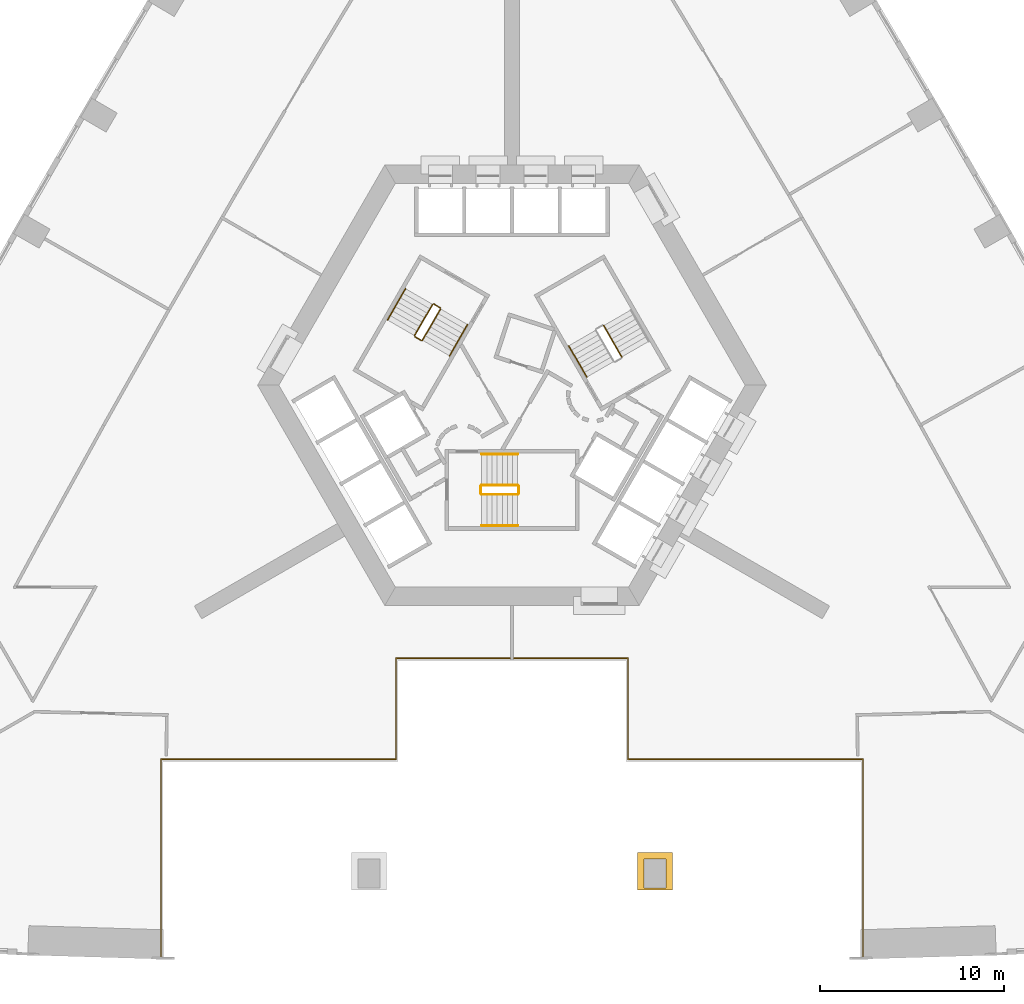
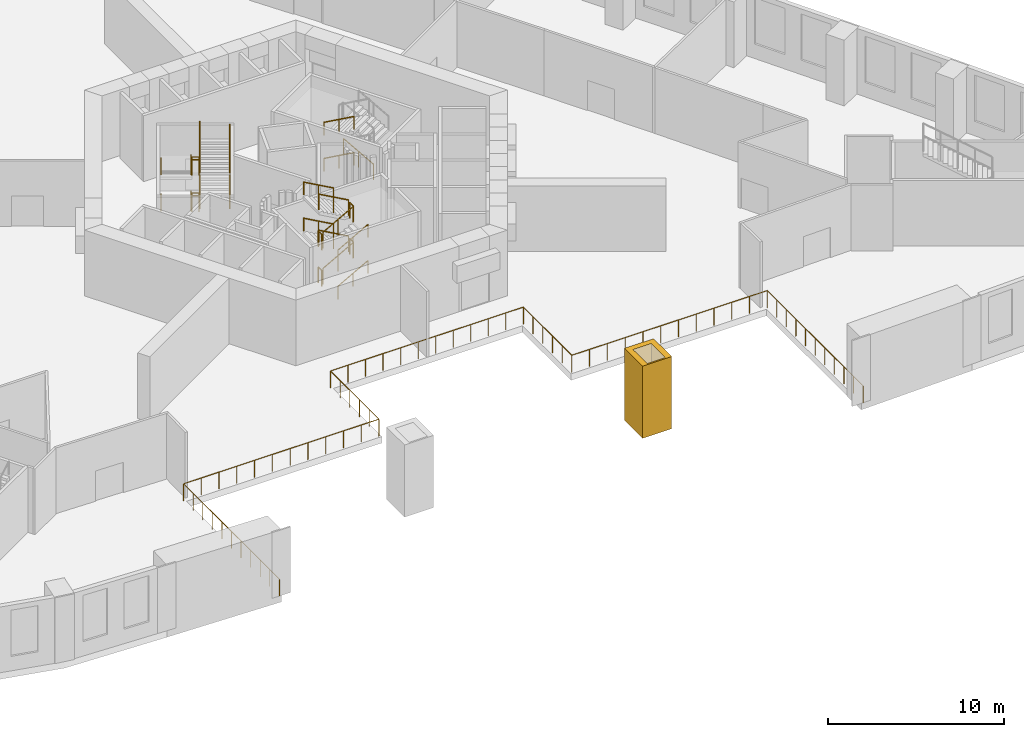
# One storey, part 13 of 16: 28 railings, 1 covering.
"""IFC4 building model written with IfcOpenShell, lengths in metres."""

from ifc_helpers import new_model, si_unit, direction, frame, origin, origin_2d, place, context, subcontext, project, spatial, polyline, circle, outline, extrude, material, type_object, element, save


model = new_model("IFC4")

# Units and contexts
model_context = context("Model", 3, precision=1e-05, world=origin(), true_north=direction((0.0, 1.0)))
body_context = subcontext(model_context, "Body", "Model", "MODEL_VIEW")
ifc_project = project(units=[si_unit("LENGTHUNIT", "METRE"), si_unit("AREAUNIT", "SQUARE_METRE"), si_unit("VOLUMEUNIT", "CUBIC_METRE"), si_unit("PLANEANGLEUNIT", "RADIAN"), si_unit("MASSUNIT", "GRAM", prefix="KILO")], contexts=[model_context])

# Site, building, storey
site_placement = place(None, origin())
site = spatial("IfcSite", under=ifc_project, at=site_placement, CompositionType="ELEMENT")
building_placement = place(site_placement, origin())
building = spatial("IfcBuilding", under=site, at=building_placement, Name="Entoto Arch Interchange Tower", CompositionType="ELEMENT")
storey_placement = place(building_placement, frame((0.0, 0.0, 15.0)))
storey = spatial("IfcBuildingStorey", under=building, at=storey_placement, Name="L02", CompositionType="ELEMENT", Elevation=15.0)

# Railing
ifc_material_1 = material(Name="Stainless steel 1.4301", Category="steel")
railing_type_1 = type_object("IfcRailingType", Name="ATRIUM GUARD 1200 STEEL AND GLASS", PredefinedType="GUARDRAIL", material=ifc_material_1)
railing_1_placement = place(storey_placement, frame((-19.1201171875, -28.758056640625, 0.0)))
element("IfcRailing", 1, at=railing_1_placement, inside=storey, type_object=railing_type_1, Name="Atrium guard L02", PredefinedType="GUARDRAIL", context=body_context, shape_type="SweptSolid", body=[
    extrude(circle(Radius=0.02392578125, at=origin_2d()), frame((0.0, 0.0, 1.17578125), z_axis=(0.0, 1.0, 0.0), x_axis=(-1.0, 0.0, 0.0)), (0.0, 0.0, 1.0), 10.878173828125),
    extrude(circle(Radius=0.02392578125, at=origin_2d()), frame((0.0, 10.878173828125, 1.17578125), z_axis=(1.0, 0.0, 0.0), x_axis=(0.0, 1.0, 0.0)), (0.0, 0.0, 1.0), 12.800048828125),
    extrude(circle(Radius=0.02392578125, at=origin_2d()), frame((12.800048828125, 10.878173828125, 1.17578125), z_axis=(0.0, 1.0, 0.0), x_axis=(-1.0, 0.0, 0.0)), (0.0, 0.0, 1.0), 5.5),
    extrude(circle(Radius=0.02392578125, at=origin_2d()), frame((12.800048828125, 16.378173828125, 1.17578125), z_axis=(1.0, 0.0, 0.0), x_axis=(0.0, 1.0, 0.0)), (0.0, 0.0, 1.0), 12.64013671875),
    extrude(circle(Radius=0.02392578125, at=origin_2d()), frame((25.440185546875, 16.378173828125, 1.17578125), z_axis=(0.0, -1.0, 0.0), x_axis=(1.0, 0.0, 0.0)), (0.0, 0.0, 1.0), 5.5),
    extrude(circle(Radius=0.02392578125, at=origin_2d()), frame((25.440185546875, 10.878173828125, 1.17578125), z_axis=(1.0, 0.0, 0.0), x_axis=(0.0, 1.0, 0.0)), (0.0, 0.0, 1.0), 12.800048828125),
    extrude(circle(Radius=0.02392578125, at=origin_2d()), frame((38.240234375, 10.878173828125, 1.17578125), z_axis=(0.0, -1.0, 0.0), x_axis=(1.0, 0.0, 0.0)), (0.0, 0.0, 1.0), 10.878173828125),
    extrude(circle(Radius=0.02099609375, at=origin_2d()), origin(), (0.0, 0.0, 1.0), 1.15185546875),
    extrude(circle(Radius=0.02099609375, at=origin_2d()), frame((0.0, 1.087890625, 0.0)), (0.0, 0.0, 1.0), 1.15185546875),
    extrude(circle(Radius=0.02099609375, at=origin_2d()), frame((0.0, 2.175537109375, 0.0)), (0.0, 0.0, 1.0), 1.15185546875),
    extrude(circle(Radius=0.02099609375, at=origin_2d()), frame((0.0, 3.263427734375, 0.0)), (0.0, 0.0, 1.0), 1.15185546875),
    extrude(circle(Radius=0.02099609375, at=origin_2d()), frame((0.0, 4.351318359375, 0.0)), (0.0, 0.0, 1.0), 1.15185546875),
    extrude(circle(Radius=0.02099609375, at=origin_2d()), frame((0.0, 5.43896484375, 0.0)), (0.0, 0.0, 1.0), 1.15185546875),
    extrude(circle(Radius=0.02099609375, at=origin_2d()), frame((0.0, 6.52685546875, 0.0)), (0.0, 0.0, 1.0), 1.15185546875),
    extrude(circle(Radius=0.02099609375, at=origin_2d()), frame((0.0, 7.61474609375, 0.0)), (0.0, 0.0, 1.0), 1.15185546875),
    extrude(circle(Radius=0.02099609375, at=origin_2d()), frame((0.0, 8.70263671875, 0.0)), (0.0, 0.0, 1.0), 1.15185546875),
    extrude(circle(Radius=0.02099609375, at=origin_2d()), frame((0.0, 9.790283203125, 0.0)), (0.0, 0.0, 1.0), 1.15185546875),
    extrude(circle(Radius=0.02099609375, at=origin_2d()), frame((0.0, 10.878173828125, 0.0)), (0.0, 0.0, 1.0), 1.15185546875),
    extrude(circle(Radius=0.02099609375, at=origin_2d()), frame((1.16357421875, 10.878173828125, 0.0)), (0.0, 0.0, 1.0), 1.15185546875),
    extrude(circle(Radius=0.02099609375, at=origin_2d()), frame((2.327392578125, 10.878173828125, 0.0)), (0.0, 0.0, 1.0), 1.15185546875),
    extrude(circle(Radius=0.02099609375, at=origin_2d()), frame((3.490966796875, 10.878173828125, 0.0)), (0.0, 0.0, 1.0), 1.15185546875),
    extrude(circle(Radius=0.02099609375, at=origin_2d()), frame((4.654541015625, 10.878173828125, 0.0)), (0.0, 0.0, 1.0), 1.15185546875),
    extrude(circle(Radius=0.02099609375, at=origin_2d()), frame((5.818115234375, 10.878173828125, 0.0)), (0.0, 0.0, 1.0), 1.15185546875),
    extrude(circle(Radius=0.02099609375, at=origin_2d()), frame((6.98193359375, 10.878173828125, 0.0)), (0.0, 0.0, 1.0), 1.15185546875),
    extrude(circle(Radius=0.02099609375, at=origin_2d()), frame((8.1455078125, 10.878173828125, 0.0)), (0.0, 0.0, 1.0), 1.15185546875),
    extrude(circle(Radius=0.02099609375, at=origin_2d()), frame((9.30908203125, 10.878173828125, 0.0)), (0.0, 0.0, 1.0), 1.15185546875),
    extrude(circle(Radius=0.02099609375, at=origin_2d()), frame((10.47265625, 10.878173828125, 0.0)), (0.0, 0.0, 1.0), 1.15185546875),
    extrude(circle(Radius=0.02099609375, at=origin_2d()), frame((11.636474609375, 10.878173828125, 0.0)), (0.0, 0.0, 1.0), 1.15185546875),
    extrude(circle(Radius=0.02099609375, at=origin_2d()), frame((12.800048828125, 10.878173828125, 0.0)), (0.0, 0.0, 1.0), 1.15185546875),
    extrude(circle(Radius=0.02099609375, at=origin_2d()), frame((12.800048828125, 11.978271484375, 0.0)), (0.0, 0.0, 1.0), 1.15185546875),
    extrude(circle(Radius=0.02099609375, at=origin_2d()), frame((12.800048828125, 13.078125, 0.0)), (0.0, 0.0, 1.0), 1.15185546875),
    extrude(circle(Radius=0.02099609375, at=origin_2d()), frame((12.800048828125, 14.17822265625, 0.0)), (0.0, 0.0, 1.0), 1.15185546875),
    extrude(circle(Radius=0.02099609375, at=origin_2d()), frame((12.800048828125, 15.278076171875, 0.0)), (0.0, 0.0, 1.0), 1.15185546875),
    extrude(circle(Radius=0.02099609375, at=origin_2d()), frame((12.800048828125, 16.378173828125, 0.0)), (0.0, 0.0, 1.0), 1.15185546875),
    extrude(circle(Radius=0.02099609375, at=origin_2d()), frame((13.94921875, 16.378173828125, 0.0)), (0.0, 0.0, 1.0), 1.15185546875),
    extrude(circle(Radius=0.02099609375, at=origin_2d()), frame((15.09814453125, 16.378173828125, 0.0)), (0.0, 0.0, 1.0), 1.15185546875),
    extrude(circle(Radius=0.02099609375, at=origin_2d()), frame((16.247314453125, 16.378173828125, 0.0)), (0.0, 0.0, 1.0), 1.15185546875),
    extrude(circle(Radius=0.02099609375, at=origin_2d()), frame((17.396484375, 16.378173828125, 0.0)), (0.0, 0.0, 1.0), 1.15185546875),
    extrude(circle(Radius=0.02099609375, at=origin_2d()), frame((18.545654296875, 16.378173828125, 0.0)), (0.0, 0.0, 1.0), 1.15185546875),
    extrude(circle(Radius=0.02099609375, at=origin_2d()), frame((19.694580078125, 16.378173828125, 0.0)), (0.0, 0.0, 1.0), 1.15185546875),
    extrude(circle(Radius=0.02099609375, at=origin_2d()), frame((20.84375, 16.378173828125, 0.0)), (0.0, 0.0, 1.0), 1.15185546875),
    extrude(circle(Radius=0.02099609375, at=origin_2d()), frame((21.992919921875, 16.378173828125, 0.0)), (0.0, 0.0, 1.0), 1.15185546875),
    extrude(circle(Radius=0.02099609375, at=origin_2d()), frame((23.14208984375, 16.378173828125, 0.0)), (0.0, 0.0, 1.0), 1.15185546875),
    extrude(circle(Radius=0.02099609375, at=origin_2d()), frame((24.291015625, 16.378173828125, 0.0)), (0.0, 0.0, 1.0), 1.15185546875),
    extrude(circle(Radius=0.02099609375, at=origin_2d()), frame((25.440185546875, 16.378173828125, 0.0)), (0.0, 0.0, 1.0), 1.15185546875),
    extrude(circle(Radius=0.02099609375, at=origin_2d()), frame((25.440185546875, 15.278076171875, 0.0)), (0.0, 0.0, 1.0), 1.15185546875),
    extrude(circle(Radius=0.02099609375, at=origin_2d()), frame((25.440185546875, 14.17822265625, 0.0)), (0.0, 0.0, 1.0), 1.15185546875),
    extrude(circle(Radius=0.02099609375, at=origin_2d()), frame((25.440185546875, 13.078125, 0.0)), (0.0, 0.0, 1.0), 1.15185546875),
    extrude(circle(Radius=0.02099609375, at=origin_2d()), frame((25.440185546875, 11.978271484375, 0.0)), (0.0, 0.0, 1.0), 1.15185546875),
    extrude(circle(Radius=0.02099609375, at=origin_2d()), frame((25.440185546875, 10.878173828125, 0.0)), (0.0, 0.0, 1.0), 1.15185546875),
    extrude(circle(Radius=0.02099609375, at=origin_2d()), frame((26.603759765625, 10.878173828125, 0.0)), (0.0, 0.0, 1.0), 1.15185546875),
    extrude(circle(Radius=0.02099609375, at=origin_2d()), frame((27.767578125, 10.878173828125, 0.0)), (0.0, 0.0, 1.0), 1.15185546875),
    extrude(circle(Radius=0.02099609375, at=origin_2d()), frame((28.93115234375, 10.878173828125, 0.0)), (0.0, 0.0, 1.0), 1.15185546875),
    extrude(circle(Radius=0.02099609375, at=origin_2d()), frame((30.0947265625, 10.878173828125, 0.0)), (0.0, 0.0, 1.0), 1.15185546875),
    extrude(circle(Radius=0.02099609375, at=origin_2d()), frame((31.25830078125, 10.878173828125, 0.0)), (0.0, 0.0, 1.0), 1.15185546875),
    extrude(circle(Radius=0.02099609375, at=origin_2d()), frame((32.422119140625, 10.878173828125, 0.0)), (0.0, 0.0, 1.0), 1.15185546875),
    extrude(circle(Radius=0.02099609375, at=origin_2d()), frame((33.585693359375, 10.878173828125, 0.0)), (0.0, 0.0, 1.0), 1.15185546875),
    extrude(circle(Radius=0.02099609375, at=origin_2d()), frame((34.749267578125, 10.878173828125, 0.0)), (0.0, 0.0, 1.0), 1.15185546875),
    extrude(circle(Radius=0.02099609375, at=origin_2d()), frame((35.912841796875, 10.878173828125, 0.0)), (0.0, 0.0, 1.0), 1.15185546875),
    extrude(circle(Radius=0.02099609375, at=origin_2d()), frame((37.07666015625, 10.878173828125, 0.0)), (0.0, 0.0, 1.0), 1.15185546875),
    extrude(circle(Radius=0.02099609375, at=origin_2d()), frame((38.240234375, 10.878173828125, 0.0)), (0.0, 0.0, 1.0), 1.15185546875),
    extrude(circle(Radius=0.02099609375, at=origin_2d()), frame((38.240234375, 9.790283203125, 0.0)), (0.0, 0.0, 1.0), 1.15185546875),
    extrude(circle(Radius=0.02099609375, at=origin_2d()), frame((38.240234375, 8.70263671875, 0.0)), (0.0, 0.0, 1.0), 1.15185546875),
    extrude(circle(Radius=0.02099609375, at=origin_2d()), frame((38.240234375, 7.61474609375, 0.0)), (0.0, 0.0, 1.0), 1.15185546875),
    extrude(circle(Radius=0.02099609375, at=origin_2d()), frame((38.240234375, 6.52685546875, 0.0)), (0.0, 0.0, 1.0), 1.15185546875),
    extrude(circle(Radius=0.02099609375, at=origin_2d()), frame((38.240234375, 5.43896484375, 0.0)), (0.0, 0.0, 1.0), 1.15185546875),
    extrude(circle(Radius=0.02099609375, at=origin_2d()), frame((38.240234375, 4.351318359375, 0.0)), (0.0, 0.0, 1.0), 1.15185546875),
    extrude(circle(Radius=0.02099609375, at=origin_2d()), frame((38.240234375, 3.263427734375, 0.0)), (0.0, 0.0, 1.0), 1.15185546875),
    extrude(circle(Radius=0.02099609375, at=origin_2d()), frame((38.240234375, 2.175537109375, 0.0)), (0.0, 0.0, 1.0), 1.15185546875),
    extrude(circle(Radius=0.02099609375, at=origin_2d()), frame((38.240234375, 1.087890625, 0.0)), (0.0, 0.0, 1.0), 1.15185546875),
    extrude(circle(Radius=0.02099609375, at=origin_2d()), frame((38.240234375, 0.0, 0.0)), (0.0, 0.0, 1.0), 1.15185546875),
])

# Covering
ifc_material_2 = material(Name="Board-marked precast concrete C50/60", Category="concrete")
covering_type = type_object("IfcCoveringType", Name="PRECAST FRAME COURSE", PredefinedType="CLADDING", material=ifc_material_2)
covering_placement = place(storey_placement, frame((0.0, 0.0, -0.449951171875)))
element("IfcCovering", 2, at=covering_placement, inside=storey, type_object=covering_type, Name="Gate pier L02", PredefinedType="CLADDING", context=body_context, shape_type="SweptSolid", body=[
    extrude(outline(polyline([(6.85009765625, -22.949951171875), (8.75, -22.949951171875), (8.75, -24.9990234375), (6.85009765625, -24.9990234375), (6.85009765625, -22.949951171875)]), holes=[polyline([(7.199951171875, -23.300048828125), (7.199951171875, -24.89990234375), (8.39990234375, -24.89990234375), (8.39990234375, -23.300048828125), (7.199951171875, -23.300048828125)])]), origin(), (0.0, 0.0, 1.0), 5.0),
])

# Railings
railing_type_2 = type_object("IfcRailingType", Name="STAIR GUARD 1100 STEEL", PredefinedType="GUARDRAIL", material=ifc_material_1)
railing_2_placement = place(storey_placement, frame((-1.64990234375, -3.449951171875, 0.15625)))
element("IfcRailing", 3, at=railing_2_placement, inside=storey, type_object=railing_type_2, Name="L02 ST-S stair guard 1", PredefinedType="GUARDRAIL", context=body_context, shape_type="SweptSolid", body=[
    extrude(circle(Radius=0.02392578125, at=origin_2d()), frame((0.0, 0.0, 1.076171875), z_axis=(0.873232148454, 0.0, 0.487304437602), x_axis=(0.0, 1.0, 0.0)), (0.0, 0.0, 1.0), 2.244384765625),
    extrude(circle(Radius=0.02099609375, at=origin_2d()), origin(), (0.0, 0.0, 1.0), 1.052001953125),
    extrude(circle(Radius=0.02099609375, at=origin_2d()), frame((0.97998046875, 0.0, 0.546875)), (0.0, 0.0, 1.0), 1.052001953125),
    extrude(circle(Radius=0.02099609375, at=origin_2d()), frame((1.9599609375, 0.0, 1.09375)), (0.0, 0.0, 1.0), 1.052001953125),
])
railing_3_placement = place(storey_placement, frame((0.360107421875, -3.39990234375, 1.25)))
element("IfcRailing", 4, at=railing_3_placement, inside=storey, type_object=railing_type_2, Name="L02 ST-S stair guard 2", PredefinedType="GUARDRAIL", context=body_context, shape_type="SweptSolid", body=[
    extrude(circle(Radius=0.02392578125, at=origin_2d()), frame((0.0, 0.0, 1.076171875), z_axis=(0.0, 1.0, 0.0), x_axis=(-1.0, 0.0, 0.0)), (0.0, 0.0, 1.0), 0.39990234375),
    extrude(circle(Radius=0.02099609375, at=origin_2d()), origin(), (0.0, 0.0, 1.0), 1.052001953125),
    extrude(circle(Radius=0.02099609375, at=origin_2d()), frame((0.0, 0.39990234375, 0.0)), (0.0, 0.0, 1.0), 1.052001953125),
])
railing_4_placement = place(storey_placement, frame((0.31005859375, -2.949951171875, 1.40625)))
element("IfcRailing", 5, at=railing_4_placement, inside=storey, type_object=railing_type_2, Name="L02 ST-S stair guard 3", PredefinedType="GUARDRAIL", context=body_context, shape_type="SweptSolid", body=[
    extrude(circle(Radius=0.02392578125, at=origin_2d()), frame((0.0, 0.0, 1.076171875), z_axis=(-0.873232148454, 0.0, 0.487304437602), x_axis=(0.0, -1.0, 0.0)), (0.0, 0.0, 1.0), 2.244384765625),
    extrude(circle(Radius=0.02099609375, at=origin_2d()), origin(), (0.0, 0.0, 1.0), 1.052001953125),
    extrude(circle(Radius=0.02099609375, at=origin_2d()), frame((-0.97998046875, 0.0, 0.546875)), (0.0, 0.0, 1.0), 1.052001953125),
    extrude(circle(Radius=0.02099609375, at=origin_2d()), frame((-1.9599609375, 0.0, 1.09375)), (0.0, 0.0, 1.0), 1.052001953125),
])
railing_5_placement = place(storey_placement, frame((-1.699951171875, -3.39990234375, 2.5)))
element("IfcRailing", 6, at=railing_5_placement, inside=storey, type_object=railing_type_2, Name="L02 ST-S stair guard 4", PredefinedType="GUARDRAIL", context=body_context, shape_type="SweptSolid", body=[
    extrude(circle(Radius=0.02392578125, at=origin_2d()), frame((0.0, 0.0, 1.076171875), z_axis=(0.0, 1.0, 0.0), x_axis=(-1.0, 0.0, 0.0)), (0.0, 0.0, 1.0), 0.39990234375),
    extrude(circle(Radius=0.02099609375, at=origin_2d()), origin(), (0.0, 0.0, 1.0), 1.052001953125),
    extrude(circle(Radius=0.02099609375, at=origin_2d()), frame((0.0, 0.39990234375, 0.0)), (0.0, 0.0, 1.0), 1.052001953125),
])
railing_6_placement = place(storey_placement, frame((-1.64990234375, -3.449951171875, 2.65625)))
element("IfcRailing", 7, at=railing_6_placement, inside=storey, type_object=railing_type_2, Name="L02 ST-S stair guard 5", PredefinedType="GUARDRAIL", context=body_context, shape_type="SweptSolid", body=[
    extrude(circle(Radius=0.02392578125, at=origin_2d()), frame((0.0, 0.0, 1.076171875), z_axis=(0.873232148454, 0.0, 0.487304437602), x_axis=(0.0, 1.0, 0.0)), (0.0, 0.0, 1.0), 2.244384765625),
    extrude(circle(Radius=0.02099609375, at=origin_2d()), origin(), (0.0, 0.0, 1.0), 1.052001953125),
    extrude(circle(Radius=0.02099609375, at=origin_2d()), frame((0.97998046875, 0.0, 0.546875)), (0.0, 0.0, 1.0), 1.052001953125),
    extrude(circle(Radius=0.02099609375, at=origin_2d()), frame((1.9599609375, 0.0, 1.09375)), (0.0, 0.0, 1.0), 1.052001953125),
])
railing_7_placement = place(storey_placement, frame((0.360107421875, -3.39990234375, 3.75)))
element("IfcRailing", 8, at=railing_7_placement, inside=storey, type_object=railing_type_2, Name="L02 ST-S stair guard 6", PredefinedType="GUARDRAIL", context=body_context, shape_type="SweptSolid", body=[
    extrude(circle(Radius=0.02392578125, at=origin_2d()), frame((0.0, 0.0, 1.076171875), z_axis=(0.0, 1.0, 0.0), x_axis=(-1.0, 0.0, 0.0)), (0.0, 0.0, 1.0), 0.39990234375),
    extrude(circle(Radius=0.02099609375, at=origin_2d()), origin(), (0.0, 0.0, 1.0), 1.052001953125),
    extrude(circle(Radius=0.02099609375, at=origin_2d()), frame((0.0, 0.39990234375, 0.0)), (0.0, 0.0, 1.0), 1.052001953125),
])
railing_8_placement = place(storey_placement, frame((0.31005859375, -2.949951171875, 3.90625)))
element("IfcRailing", 9, at=railing_8_placement, inside=storey, type_object=railing_type_2, Name="L02 ST-S stair guard 7", PredefinedType="GUARDRAIL", context=body_context, shape_type="SweptSolid", body=[
    extrude(circle(Radius=0.02392578125, at=origin_2d()), frame((0.0, 0.0, 1.076171875), z_axis=(-0.873232148454, 0.0, 0.487304437602), x_axis=(0.0, -1.0, 0.0)), (0.0, 0.0, 1.0), 2.244384765625),
    extrude(circle(Radius=0.02099609375, at=origin_2d()), origin(), (0.0, 0.0, 1.0), 1.052001953125),
    extrude(circle(Radius=0.02099609375, at=origin_2d()), frame((-0.97998046875, 0.0, 0.546875)), (0.0, 0.0, 1.0), 1.052001953125),
    extrude(circle(Radius=0.02099609375, at=origin_2d()), frame((-1.9599609375, 0.0, 1.09375)), (0.0, 0.0, 1.0), 1.052001953125),
])
railing_9_placement = place(storey_placement, frame((-1.699951171875, -3.39990234375, 0.0)))
element("IfcRailing", 10, at=railing_9_placement, inside=storey, type_object=railing_type_2, Name="L02 ST-S stair guard 8", PredefinedType="GUARDRAIL", context=body_context, shape_type="SweptSolid", body=[
    extrude(circle(Radius=0.02392578125, at=origin_2d()), frame((0.0, 0.0, 1.076171875), z_axis=(0.0, 1.0, 0.0), x_axis=(-1.0, 0.0, 0.0)), (0.0, 0.0, 1.0), 0.39990234375),
    extrude(circle(Radius=0.02099609375, at=origin_2d()), origin(), (0.0, 0.0, 1.0), 1.052001953125),
    extrude(circle(Radius=0.02099609375, at=origin_2d()), frame((0.0, 0.39990234375, 0.0)), (0.0, 0.0, 1.0), 1.052001953125),
])
railing_10_placement = place(storey_placement, frame((5.977783203125, 4.046142578125, 0.15625)))
element("IfcRailing", 11, at=railing_10_placement, inside=storey, type_object=railing_type_2, Name="L02 ST-NE stair guard 1", PredefinedType="GUARDRAIL", context=body_context, shape_type="SweptSolid", body=[
    extrude(circle(Radius=0.02392578125, at=origin_2d()), frame((0.0, 0.0, 1.076171875), z_axis=(-0.436632306331, 0.756220177781, 0.487322554151), x_axis=(-0.866011328839, -0.500024377727, 0.0)), (0.0, 0.0, 1.0), 2.244384765625),
    extrude(circle(Radius=0.02099609375, at=origin_2d()), origin(), (0.0, 0.0, 1.0), 1.052001953125),
    extrude(circle(Radius=0.02099609375, at=origin_2d()), frame((-0.489990234375, 0.8486328125, 0.546875)), (0.0, 0.0, 1.0), 1.052001953125),
    extrude(circle(Radius=0.02099609375, at=origin_2d()), frame((-0.97998046875, 1.697265625, 1.09375)), (0.0, 0.0, 1.0), 1.052001953125),
])
railing_11_placement = place(storey_placement, frame((-4.327880859375, 6.904052734375, 0.15625)))
element("IfcRailing", 12, at=railing_11_placement, inside=storey, type_object=railing_type_2, Name="L02 ST-NW stair guard 1", PredefinedType="GUARDRAIL", context=body_context, shape_type="SweptSolid", body=[
    extrude(circle(Radius=0.02392578125, at=origin_2d()), frame((0.0, 0.0, 1.076171875), z_axis=(-0.436596390967, -0.756266742998, 0.487282469241), x_axis=(0.866042469362, -0.499970440388, 0.0)), (0.0, 0.0, 1.0), 2.24462890625),
    extrude(circle(Radius=0.02099609375, at=origin_2d()), origin(), (0.0, 0.0, 1.0), 1.052001953125),
    extrude(circle(Radius=0.02099609375, at=origin_2d()), frame((-0.489990234375, -0.8486328125, 0.546875)), (0.0, 0.0, 1.0), 1.052001953125),
    extrude(circle(Radius=0.02099609375, at=origin_2d()), frame((-0.97998046875, -1.697509765625, 1.09375)), (0.0, 0.0, 1.0), 1.052001953125),
])
railing_12_placement = place(storey_placement, frame((-5.28955078125, 5.13818359375, 1.25)))
element("IfcRailing", 13, at=railing_12_placement, inside=storey, type_object=railing_type_2, Name="L02 ST-NW stair guard 2", PredefinedType="GUARDRAIL", context=body_context, shape_type="SweptSolid", body=[
    extrude(circle(Radius=0.02392578125, at=origin_2d()), frame((0.0, 0.0, 1.076171875), z_axis=(0.866094119867, -0.499880961361, 0.0), x_axis=(0.499880961361, 0.866094119867, 0.0)), (0.0, 0.0, 1.0), 0.39990234375),
    extrude(circle(Radius=0.02099609375, at=origin_2d()), origin(), (0.0, 0.0, 1.0), 1.052001953125),
    extrude(circle(Radius=0.02099609375, at=origin_2d()), frame((0.346435546875, -0.199951171875, 0.0)), (0.0, 0.0, 1.0), 1.052001953125),
])
railing_13_placement = place(storey_placement, frame((-4.874755859375, 4.95654296875, 1.40625)))
element("IfcRailing", 14, at=railing_13_placement, inside=storey, type_object=railing_type_2, Name="L02 ST-NW stair guard 3", PredefinedType="GUARDRAIL", context=body_context, shape_type="SweptSolid", body=[
    extrude(circle(Radius=0.02392578125, at=origin_2d()), frame((0.0, 0.0, 1.076171875), z_axis=(0.436596390967, 0.756266742998, 0.487282469241), x_axis=(-0.866042469362, 0.499970440388, 0.0)), (0.0, 0.0, 1.0), 2.24462890625),
    extrude(circle(Radius=0.02099609375, at=origin_2d()), origin(), (0.0, 0.0, 1.0), 1.052001953125),
    extrude(circle(Radius=0.02099609375, at=origin_2d()), frame((0.489990234375, 0.8486328125, 0.546875)), (0.0, 0.0, 1.0), 1.052001953125),
    extrude(circle(Radius=0.02099609375, at=origin_2d()), frame((0.97998046875, 1.697509765625, 1.09375)), (0.0, 0.0, 1.0), 1.052001953125),
])
railing_14_placement = place(storey_placement, frame((-4.259521484375, 6.92236328125, 2.5)))
element("IfcRailing", 15, at=railing_14_placement, inside=storey, type_object=railing_type_2, Name="L02 ST-NW stair guard 4", PredefinedType="GUARDRAIL", context=body_context, shape_type="SweptSolid", body=[
    extrude(circle(Radius=0.02392578125, at=origin_2d()), frame((0.0, 0.0, 1.076171875), z_axis=(0.865829829939, -0.500338590944, 0.0), x_axis=(0.500338590944, 0.865829829939, 0.0)), (0.0, 0.0, 1.0), 0.400146484375),
    extrude(circle(Radius=0.02099609375, at=origin_2d()), origin(), (0.0, 0.0, 1.0), 1.052001953125),
    extrude(circle(Radius=0.02099609375, at=origin_2d()), frame((0.346435546875, -0.2001953125, 0.0)), (0.0, 0.0, 1.0), 1.052001953125),
])
railing_15_placement = place(storey_placement, frame((-4.327880859375, 6.904052734375, 2.65625)))
element("IfcRailing", 16, at=railing_15_placement, inside=storey, type_object=railing_type_2, Name="L02 ST-NW stair guard 5", PredefinedType="GUARDRAIL", context=body_context, shape_type="SweptSolid", body=[
    extrude(circle(Radius=0.02392578125, at=origin_2d()), frame((0.0, 0.0, 1.076171875), z_axis=(-0.436596390967, -0.756266742998, 0.487282469241), x_axis=(0.866042469362, -0.499970440388, 0.0)), (0.0, 0.0, 1.0), 2.24462890625),
    extrude(circle(Radius=0.02099609375, at=origin_2d()), origin(), (0.0, 0.0, 1.0), 1.052001953125),
    extrude(circle(Radius=0.02099609375, at=origin_2d()), frame((-0.489990234375, -0.8486328125, 0.546875)), (0.0, 0.0, 1.0), 1.052001953125),
    extrude(circle(Radius=0.02099609375, at=origin_2d()), frame((-0.97998046875, -1.697509765625, 1.09375)), (0.0, 0.0, 1.0), 1.052001953125),
])
railing_16_placement = place(storey_placement, frame((-5.28955078125, 5.13818359375, 3.75)))
element("IfcRailing", 17, at=railing_16_placement, inside=storey, type_object=railing_type_2, Name="L02 ST-NW stair guard 6", PredefinedType="GUARDRAIL", context=body_context, shape_type="SweptSolid", body=[
    extrude(circle(Radius=0.02392578125, at=origin_2d()), frame((0.0, 0.0, 1.076171875), z_axis=(0.866094119867, -0.499880961361, 0.0), x_axis=(0.499880961361, 0.866094119867, 0.0)), (0.0, 0.0, 1.0), 0.39990234375),
    extrude(circle(Radius=0.02099609375, at=origin_2d()), origin(), (0.0, 0.0, 1.0), 1.052001953125),
    extrude(circle(Radius=0.02099609375, at=origin_2d()), frame((0.346435546875, -0.199951171875, 0.0)), (0.0, 0.0, 1.0), 1.052001953125),
])
railing_17_placement = place(storey_placement, frame((-4.874755859375, 4.95654296875, 3.90625)))
element("IfcRailing", 18, at=railing_17_placement, inside=storey, type_object=railing_type_2, Name="L02 ST-NW stair guard 7", PredefinedType="GUARDRAIL", context=body_context, shape_type="SweptSolid", body=[
    extrude(circle(Radius=0.02392578125, at=origin_2d()), frame((0.0, 0.0, 1.076171875), z_axis=(0.436596390967, 0.756266742998, 0.487282469241), x_axis=(-0.866042469362, 0.499970440388, 0.0)), (0.0, 0.0, 1.0), 2.24462890625),
    extrude(circle(Radius=0.02099609375, at=origin_2d()), origin(), (0.0, 0.0, 1.0), 1.052001953125),
    extrude(circle(Radius=0.02099609375, at=origin_2d()), frame((0.489990234375, 0.8486328125, 0.546875)), (0.0, 0.0, 1.0), 1.052001953125),
    extrude(circle(Radius=0.02099609375, at=origin_2d()), frame((0.97998046875, 1.697509765625, 1.09375)), (0.0, 0.0, 1.0), 1.052001953125),
])
railing_18_placement = place(storey_placement, frame((-4.259521484375, 6.92236328125, 0.0)))
element("IfcRailing", 19, at=railing_18_placement, inside=storey, type_object=railing_type_2, Name="L02 ST-NW stair guard 8", PredefinedType="GUARDRAIL", context=body_context, shape_type="SweptSolid", body=[
    extrude(circle(Radius=0.02392578125, at=origin_2d()), frame((0.0, 0.0, 1.076171875), z_axis=(0.865829829939, -0.500338590944, 0.0), x_axis=(0.500338590944, 0.865829829939, 0.0)), (0.0, 0.0, 1.0), 0.400146484375),
    extrude(circle(Radius=0.02099609375, at=origin_2d()), origin(), (0.0, 0.0, 1.0), 1.052001953125),
    extrude(circle(Radius=0.02099609375, at=origin_2d()), frame((0.346435546875, -0.2001953125, 0.0)), (0.0, 0.0, 1.0), 1.052001953125),
])
railing_type_3 = type_object("IfcRailingType", Name="STAIR HANDRAIL 900 STEEL", PredefinedType="HANDRAIL", material=ifc_material_1)
railing_19_placement = place(storey_placement, frame((-1.64990234375, -5.14990234375, 0.15625)))
element("IfcRailing", 20, at=railing_19_placement, inside=storey, type_object=railing_type_3, Name="L02 ST-S stair handrail 1", PredefinedType="HANDRAIL", context=body_context, shape_type="SweptSolid", body=[
    extrude(circle(Radius=0.02392578125, at=origin_2d()), frame((0.0, 0.0, 0.8759765625), z_axis=(0.873232148454, 0.0, 0.487304437602), x_axis=(0.0, 1.0, 0.0)), (0.0, 0.0, 1.0), 2.244384765625),
    extrude(circle(Radius=0.02099609375, at=origin_2d()), origin(), (0.0, 0.0, 1.0), 0.851806640625),
    extrude(circle(Radius=0.02099609375, at=origin_2d()), frame((0.97998046875, 0.0, 0.546875)), (0.0, 0.0, 1.0), 0.851806640625),
    extrude(circle(Radius=0.02099609375, at=origin_2d()), frame((1.9599609375, 0.0, 1.09375)), (0.0, 0.0, 1.0), 0.851806640625),
])
railing_20_placement = place(storey_placement, frame((0.31005859375, -1.25, 1.40625)))
element("IfcRailing", 21, at=railing_20_placement, inside=storey, type_object=railing_type_3, Name="L02 ST-S stair handrail 2", PredefinedType="HANDRAIL", context=body_context, shape_type="SweptSolid", body=[
    extrude(circle(Radius=0.02392578125, at=origin_2d()), frame((0.0, 0.0, 0.8759765625), z_axis=(-0.873232148454, 0.0, 0.487304437602), x_axis=(0.0, -1.0, 0.0)), (0.0, 0.0, 1.0), 2.244384765625),
    extrude(circle(Radius=0.02099609375, at=origin_2d()), origin(), (0.0, 0.0, 1.0), 0.851806640625),
    extrude(circle(Radius=0.02099609375, at=origin_2d()), frame((-0.97998046875, 0.0, 0.546875)), (0.0, 0.0, 1.0), 0.851806640625),
    extrude(circle(Radius=0.02099609375, at=origin_2d()), frame((-1.9599609375, 0.0, 1.09375)), (0.0, 0.0, 1.0), 0.851806640625),
])
railing_21_placement = place(storey_placement, frame((-1.64990234375, -5.14990234375, 2.65625)))
element("IfcRailing", 22, at=railing_21_placement, inside=storey, type_object=railing_type_3, Name="L02 ST-S stair handrail 3", PredefinedType="HANDRAIL", context=body_context, shape_type="SweptSolid", body=[
    extrude(circle(Radius=0.02392578125, at=origin_2d()), frame((0.0, 0.0, 0.8759765625), z_axis=(0.873232148454, 0.0, 0.487304437602), x_axis=(0.0, 1.0, 0.0)), (0.0, 0.0, 1.0), 2.244384765625),
    extrude(circle(Radius=0.02099609375, at=origin_2d()), origin(), (0.0, 0.0, 1.0), 0.851806640625),
    extrude(circle(Radius=0.02099609375, at=origin_2d()), frame((0.97998046875, 0.0, 0.546875)), (0.0, 0.0, 1.0), 0.851806640625),
    extrude(circle(Radius=0.02099609375, at=origin_2d()), frame((1.9599609375, 0.0, 1.09375)), (0.0, 0.0, 1.0), 0.851806640625),
])
railing_22_placement = place(storey_placement, frame((0.31005859375, -1.25, 3.90625)))
element("IfcRailing", 23, at=railing_22_placement, inside=storey, type_object=railing_type_3, Name="L02 ST-S stair handrail 4", PredefinedType="HANDRAIL", context=body_context, shape_type="SweptSolid", body=[
    extrude(circle(Radius=0.02392578125, at=origin_2d()), frame((0.0, 0.0, 0.8759765625), z_axis=(-0.873232148454, 0.0, 0.487304437602), x_axis=(0.0, -1.0, 0.0)), (0.0, 0.0, 1.0), 2.244384765625),
    extrude(circle(Radius=0.02099609375, at=origin_2d()), origin(), (0.0, 0.0, 1.0), 0.851806640625),
    extrude(circle(Radius=0.02099609375, at=origin_2d()), frame((-0.97998046875, 0.0, 0.546875)), (0.0, 0.0, 1.0), 0.851806640625),
    extrude(circle(Radius=0.02099609375, at=origin_2d()), frame((-1.9599609375, 0.0, 1.09375)), (0.0, 0.0, 1.0), 0.851806640625),
])
for number, where, name in (
    (24, (3.092529296875, 4.6435546875, 1.40625), "L02 ST-NE stair handrail 2"),
    (25, (3.092529296875, 4.6435546875, 3.90625), "L02 ST-NE stair handrail 4"),
):
    element("IfcRailing", number, at=place(storey_placement, frame(where)), inside=storey, type_object=railing_type_3, Name=name, PredefinedType="HANDRAIL", context=body_context, shape_type="SweptSolid", body=[
        extrude(circle(Radius=0.02392578125, at=origin_2d()), frame((0.0, 0.0, 0.8759765625), z_axis=(0.436596390967, -0.756266742998, 0.487282469241), x_axis=(0.866042469362, 0.499970440388, 0.0)), (0.0, 0.0, 1.0), 2.24462890625),
        extrude(circle(Radius=0.02099609375, at=origin_2d()), origin(), (0.0, 0.0, 1.0), 0.851806640625),
        extrude(circle(Radius=0.02099609375, at=origin_2d()), frame((0.489990234375, -0.8486328125, 0.546875)), (0.0, 0.0, 1.0), 0.851806640625),
        extrude(circle(Radius=0.02099609375, at=origin_2d()), frame((0.97998046875, -1.697509765625, 1.09375)), (0.0, 0.0, 1.0), 0.851806640625),
    ])
railing_23_placement = place(storey_placement, frame((-5.800048828125, 7.75390625, 0.15625)))
element("IfcRailing", 26, at=railing_23_placement, inside=storey, type_object=railing_type_3, Name="L02 ST-NW stair handrail 1", PredefinedType="HANDRAIL", context=body_context, shape_type="SweptSolid", body=[
    extrude(circle(Radius=0.02392578125, at=origin_2d()), frame((0.0, 0.0, 0.8759765625), z_axis=(-0.436632306331, -0.756220177781, 0.487322554151), x_axis=(0.866011328839, -0.500024377727, 0.0)), (0.0, 0.0, 1.0), 2.244384765625),
    extrude(circle(Radius=0.02099609375, at=origin_2d()), origin(), (0.0, 0.0, 1.0), 0.851806640625),
    extrude(circle(Radius=0.02099609375, at=origin_2d()), frame((-0.489990234375, -0.8486328125, 0.546875)), (0.0, 0.0, 1.0), 0.851806640625),
    extrude(circle(Radius=0.02099609375, at=origin_2d()), frame((-0.97998046875, -1.697265625, 1.09375)), (0.0, 0.0, 1.0), 0.851806640625),
])
railing_24_placement = place(storey_placement, frame((-3.402587890625, 4.1064453125, 1.40625)))
element("IfcRailing", 27, at=railing_24_placement, inside=storey, type_object=railing_type_3, Name="L02 ST-NW stair handrail 2", PredefinedType="HANDRAIL", context=body_context, shape_type="SweptSolid", body=[
    extrude(circle(Radius=0.02392578125, at=origin_2d()), frame((0.0, 0.0, 0.8759765625), z_axis=(0.436596390967, 0.756266742998, 0.487282469241), x_axis=(-0.866042469362, 0.499970440388, 0.0)), (0.0, 0.0, 1.0), 2.24462890625),
    extrude(circle(Radius=0.02099609375, at=origin_2d()), origin(), (0.0, 0.0, 1.0), 0.851806640625),
    extrude(circle(Radius=0.02099609375, at=origin_2d()), frame((0.489990234375, 0.8486328125, 0.546875)), (0.0, 0.0, 1.0), 0.851806640625),
    extrude(circle(Radius=0.02099609375, at=origin_2d()), frame((0.97998046875, 1.697509765625, 1.09375)), (0.0, 0.0, 1.0), 0.851806640625),
])
railing_25_placement = place(storey_placement, frame((-5.800048828125, 7.75390625, 2.65625)))
element("IfcRailing", 28, at=railing_25_placement, inside=storey, type_object=railing_type_3, Name="L02 ST-NW stair handrail 3", PredefinedType="HANDRAIL", context=body_context, shape_type="SweptSolid", body=[
    extrude(circle(Radius=0.02392578125, at=origin_2d()), frame((0.0, 0.0, 0.8759765625), z_axis=(-0.436632306331, -0.756220177781, 0.487322554151), x_axis=(0.866011328839, -0.500024377727, 0.0)), (0.0, 0.0, 1.0), 2.244384765625),
    extrude(circle(Radius=0.02099609375, at=origin_2d()), origin(), (0.0, 0.0, 1.0), 0.851806640625),
    extrude(circle(Radius=0.02099609375, at=origin_2d()), frame((-0.489990234375, -0.8486328125, 0.546875)), (0.0, 0.0, 1.0), 0.851806640625),
    extrude(circle(Radius=0.02099609375, at=origin_2d()), frame((-0.97998046875, -1.697265625, 1.09375)), (0.0, 0.0, 1.0), 0.851806640625),
])
railing_26_placement = place(storey_placement, frame((-3.402587890625, 4.1064453125, 3.90625)))
element("IfcRailing", 29, at=railing_26_placement, inside=storey, type_object=railing_type_3, Name="L02 ST-NW stair handrail 4", PredefinedType="HANDRAIL", context=body_context, shape_type="SweptSolid", body=[
    extrude(circle(Radius=0.02392578125, at=origin_2d()), frame((0.0, 0.0, 0.8759765625), z_axis=(0.436596390967, 0.756266742998, 0.487282469241), x_axis=(-0.866042469362, 0.499970440388, 0.0)), (0.0, 0.0, 1.0), 2.24462890625),
    extrude(circle(Radius=0.02099609375, at=origin_2d()), origin(), (0.0, 0.0, 1.0), 0.851806640625),
    extrude(circle(Radius=0.02099609375, at=origin_2d()), frame((0.489990234375, 0.8486328125, 0.546875)), (0.0, 0.0, 1.0), 0.851806640625),
    extrude(circle(Radius=0.02099609375, at=origin_2d()), frame((0.97998046875, 1.697509765625, 1.09375)), (0.0, 0.0, 1.0), 0.851806640625),
])

save(model, "model.ifc")
